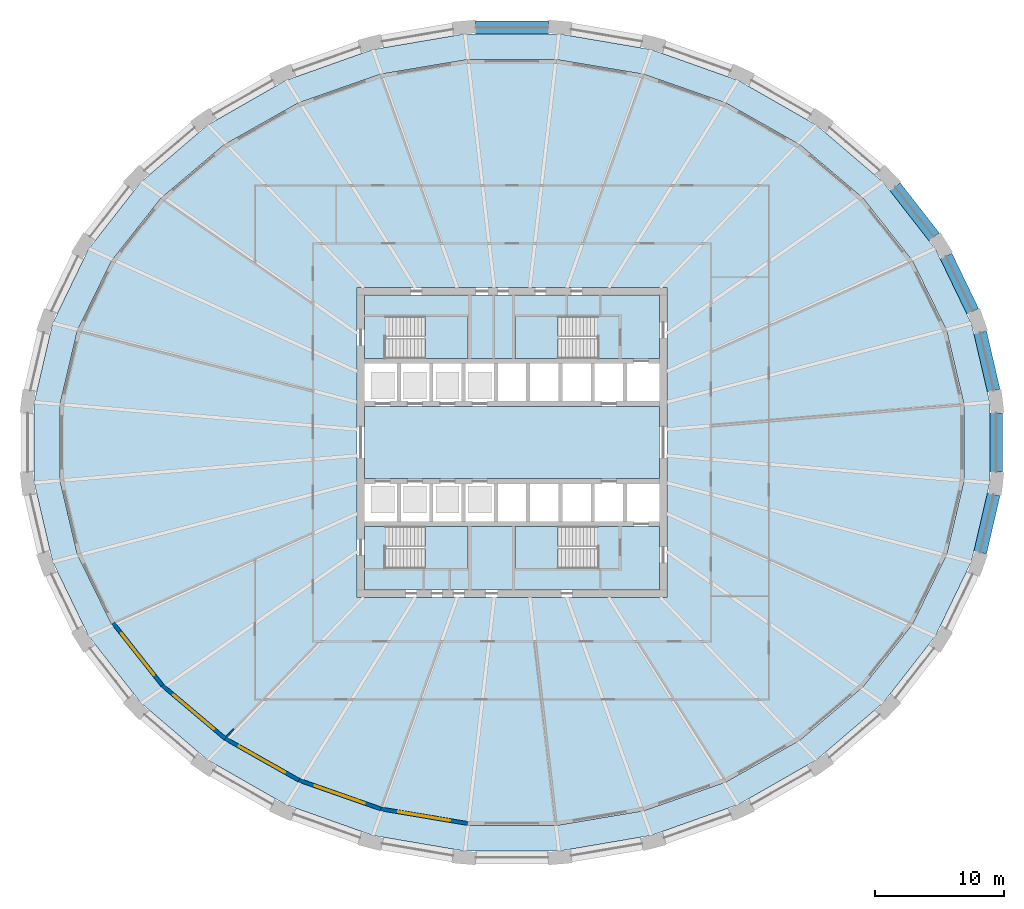
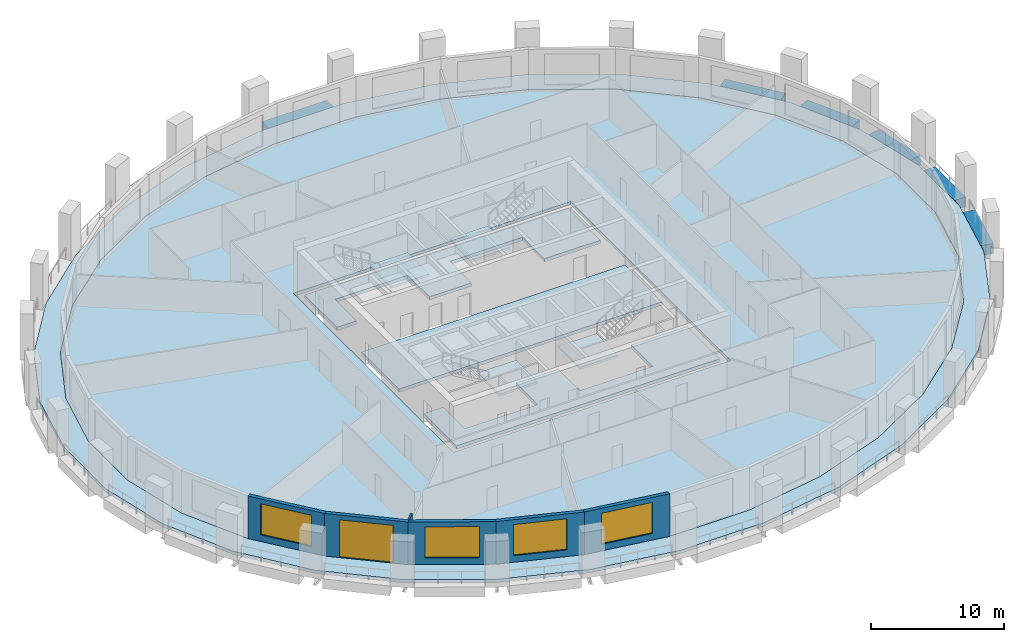
# One storey, part 2 of 11: 9 slabs, 6 beams, 6 walls, 4 windows, 1 door, 5 openings, 4 elements without a shape of their own.
"""IFC4 building model written with IfcOpenShell, lengths in metres."""

from ifc_helpers import new_model, si_unit, direction, frame, frame_2d, origin, origin_2d, place, context, subcontext, project, spatial, polyline, rectangle, outline, extrude, material, layer, layer_set, material_profile, profile_set, type_object, element, fill, aggregate, save


model = new_model("IFC4")

# Units and contexts
model_context = context("Model", 3, precision=1e-05, world=origin(), true_north=direction((0.0, 1.0)))
body_context = subcontext(model_context, "Body", "Model", "MODEL_VIEW")
ifc_project = project(units=[si_unit("LENGTHUNIT", "METRE"), si_unit("AREAUNIT", "SQUARE_METRE"), si_unit("VOLUMEUNIT", "CUBIC_METRE"), si_unit("PLANEANGLEUNIT", "RADIAN"), si_unit("MASSUNIT", "GRAM", prefix="KILO")], contexts=[model_context])

# Site, building, storey
site_placement = place(None, origin())
site = spatial("IfcSite", under=ifc_project, at=site_placement, CompositionType="ELEMENT")
building_placement = place(site_placement, origin())
building = spatial("IfcBuilding", under=site, at=building_placement, Name="Halqa Exchange Tower", CompositionType="ELEMENT")
storey_placement = place(building_placement, frame((0.0, 0.0, 40.300048828125)))
storey = spatial("IfcBuildingStorey", under=building, at=storey_placement, Name="L08", CompositionType="ELEMENT", Elevation=40.300048828125)

# Beams
ifc_material_1 = material(Name="Concrete C60/75", Category="concrete")
ifc_material_profile = material_profile(ifc_material_1, rectangle(XDim=1.0, YDim=0.89990234375, at=origin_2d()), Name="1000 x 900")
ifc_profile_set = profile_set([ifc_material_profile], Name="Concrete C60/75")
beam_type = type_object("IfcBeamType", Name="RC spandrel beam 1000 x 900 C60/75", PredefinedType="SPANDREL", material=ifc_profile_set)
beam_1_placement = place(storey_placement, frame((37.278076171875, 4.01953125, -0.449951171875), z_axis=(-0.226057098176, 0.974114053058, 0.0), x_axis=(-0.974114053058, -0.226057098176, 0.0)))
element("IfcBeam", 1, at=beam_1_placement, inside=storey, type_object=beam_type, Name="Spandrel 1", PredefinedType="SPANDREL", context=body_context, shape_type="SweptSolid", body=[
    extrude(rectangle(XDim=1.0, YDim=0.89990234375, at=origin_2d()), origin(), (0.0, 0.0, 1.0), 4.61474609375),
])
beam_2_placement = place(storey_placement, frame((35.65478515625, 10.159423828125, -0.449951171875), z_axis=(-0.435115053314, 0.900374861033, 0.0), x_axis=(-0.900374861033, -0.435115053314, 0.0)))
element("IfcBeam", 2, at=beam_2_placement, inside=storey, type_object=beam_type, Name="Spandrel 2", PredefinedType="SPANDREL", context=body_context, shape_type="SweptSolid", body=[
    extrude(rectangle(XDim=1.0, YDim=0.89990234375, at=origin_2d()), origin(), (0.0, 0.0, 1.0), 4.73779296875),
])
beam_3_placement = place(storey_placement, frame((32.672119140625, 15.9072265625, -0.449951171875), z_axis=(-0.614778716326, 0.788699644955, 0.0), x_axis=(-0.788699644955, -0.614778716326, 0.0)))
element("IfcBeam", 3, at=beam_3_placement, inside=storey, type_object=beam_type, Name="Spandrel 3", PredefinedType="SPANDREL", context=body_context, shape_type="SweptSolid", body=[
    extrude(rectangle(XDim=1.0, YDim=0.89990234375, at=origin_2d()), origin(), (0.0, 0.0, 1.0), 4.918701171875),
])
beam_4_placement = place(storey_placement, frame((2.816650390625, 32.122802734375, -0.449951171875), z_axis=(-1.0, 0.0, 0.0), x_axis=(0.0, -1.0, 0.0)))
element("IfcBeam", 4, at=beam_4_placement, inside=storey, type_object=beam_type, Name="Spandrel 8", PredefinedType="SPANDREL", context=body_context, shape_type="SweptSolid", body=[
    extrude(rectangle(XDim=1.0, YDim=0.89990234375, at=origin_2d()), origin(), (0.0, 0.0, 1.0), 5.63330078125),
])
beam_5_placement = place(storey_placement, frame((36.23486328125, -8.514892578125, -0.449951171875), z_axis=(0.226057098176, 0.974114053058, 0.0), x_axis=(-0.974114053058, 0.226057098176, 0.0)))
element("IfcBeam", 5, at=beam_5_placement, inside=storey, type_object=beam_type, Name="Spandrel 31", PredefinedType="SPANDREL", context=body_context, shape_type="SweptSolid", body=[
    extrude(rectangle(XDim=1.0, YDim=0.89990234375, at=origin_2d()), origin(), (0.0, 0.0, 1.0), 4.61474609375),
])
beam_6_placement = place(storey_placement, frame((37.4765625, -2.28515625, -0.449951171875), z_axis=(0.0, 1.0, 0.0), x_axis=(-1.0, 0.0, 0.0)))
element("IfcBeam", 6, at=beam_6_placement, inside=storey, type_object=beam_type, Name="Spandrel 32", PredefinedType="SPANDREL", context=body_context, shape_type="SweptSolid", body=[
    extrude(rectangle(XDim=1.0, YDim=0.89990234375, at=origin_2d()), origin(), (0.0, 0.0, 1.0), 4.5703125),
])

# Slabs
ifc_layer_1 = layer(ifc_material_1, 0.300048828125)
ifc_layer_set_1 = layer_set([ifc_layer_1], Name="Concrete C60/75")
slab_type_1 = type_object("IfcSlabType", Name="Core floor slab 300", PredefinedType="FLOOR", material=ifc_layer_set_1)
slab_1_placement = place(storey_placement, frame((0.0, 0.0, -0.300048828125)))
element("IfcSlab", 7, at=slab_1_placement, inside=storey, type_object=slab_type_1, Name="Core floor slab", PredefinedType="FLOOR", context=body_context, shape_type="SweptSolid", body=[
    extrude(outline(polyline([(-11.39990234375, 2.800048828125), (11.39990234375, 2.800048828125), (11.39990234375, -2.800048828125), (-11.39990234375, -2.800048828125), (-11.39990234375, 2.800048828125)])), origin(), (0.0, 0.0, 1.0), 0.300048828125),
])
slab_2_placement = place(storey_placement, frame((0.0, 0.0, -0.300048828125)))
element("IfcSlab", 8, at=slab_2_placement, inside=storey, type_object=slab_type_1, Name="Core floor slab", PredefinedType="FLOOR", context=body_context, shape_type="SweptSolid", body=[
    extrude(outline(polyline([(-11.39990234375, 11.39990234375), (11.39990234375, 11.39990234375), (11.39990234375, 6.5), (6.550048828125, 6.5), (6.550048828125, 9.75), (0.25, 9.75), (0.25, 6.5), (-3.39990234375, 6.5), (-3.39990234375, 9.75), (-9.699951171875, 9.75), (-9.699951171875, 6.5), (-11.39990234375, 6.5), (-11.39990234375, 11.39990234375)])), origin(), (0.0, 0.0, 1.0), 0.300048828125),
])
slab_3_placement = place(storey_placement, frame((0.0, 0.0, -0.300048828125)))
element("IfcSlab", 9, at=slab_3_placement, inside=storey, type_object=slab_type_1, Name="Core floor slab", PredefinedType="FLOOR", context=body_context, shape_type="SweptSolid", body=[
    extrude(outline(polyline([(-9.699951171875, -9.75), (-3.39990234375, -9.75), (-3.39990234375, -6.5), (0.25, -6.5), (0.25, -9.75), (6.550048828125, -9.75), (6.550048828125, -6.5), (11.39990234375, -6.5), (11.39990234375, -11.39990234375), (-11.39990234375, -11.39990234375), (-11.39990234375, -6.5), (-9.699951171875, -6.5), (-9.699951171875, -9.75)])), origin(), (0.0, 0.0, 1.0), 0.300048828125),
])
ifc_material_2 = material(Name="Concrete C40/50", Category="concrete")
ifc_layer_2 = layer(ifc_material_2, 0.300048828125)
ifc_layer_set_2 = layer_set([ifc_layer_2], Name="Concrete C40/50")
slab_type_2 = type_object("IfcSlabType", Name="RC floor slab 300", PredefinedType="FLOOR", material=ifc_layer_set_2)
slab_4_placement = place(storey_placement, frame((0.0, 0.0, -0.300048828125)))
element("IfcSlab", 10, at=slab_4_placement, inside=storey, type_object=slab_type_2, Name="Floor slab", PredefinedType="FLOOR", context=body_context, shape_type="SweptSolid", body=[
    extrude(outline(polyline([(34.989990234375, 2.92431640625), (33.64111328125, 8.65869140625), (30.997314453125, 14.056640625), (27.162109375, 18.910400390625), (22.285888671875, 23.0341796875), (16.556396484375, 26.271728515625), (10.193603515625, 28.50048828125), (3.44189453125, 29.63623046875), (-3.44189453125, 29.63623046875), (-10.193603515625, 28.50048828125), (-16.556396484375, 26.271728515625), (-22.285888671875, 23.0341796875), (-27.162109375, 18.910400390625), (-30.997314453125, 14.056640625), (-33.64111328125, 8.65869140625), (-34.989990234375, 2.92431640625), (-34.989990234375, -2.92431640625), (-33.64111328125, -8.65869140625), (-30.997314453125, -14.056640625), (-27.162109375, -18.910400390625), (-22.285888671875, -23.0341796875), (-16.556396484375, -26.271728515625), (-10.193603515625, -28.50048828125), (-3.44189453125, -29.63623046875), (3.44189453125, -29.63623046875), (10.193603515625, -28.50048828125), (16.556396484375, -26.271728515625), (22.285888671875, -23.0341796875), (27.162109375, -18.910400390625), (30.997314453125, -14.056640625), (33.64111328125, -8.65869140625), (34.989990234375, -2.92431640625), (34.989990234375, 2.92431640625)]), holes=[polyline([(-12.0, -12.0), (12.0, -12.0), (12.0, 12.0), (-12.0, 12.0), (-12.0, -12.0)])]), origin(), (0.0, 0.0, 1.0), 0.300048828125),
])
ifc_layer_3 = layer(ifc_material_2, 0.300048828125)
ifc_layer_set_3 = layer_set([ifc_layer_3], Name="Concrete C40/50")
slab_type_3 = type_object("IfcSlabType", Name="RC loggia slab 300", PredefinedType="FLOOR", material=ifc_layer_set_3)
slab_5_placement = place(storey_placement, frame((0.0, 0.0, -0.300048828125)))
element("IfcSlab", 11, at=slab_5_placement, inside=storey, type_object=slab_type_3, Name="Loggia slab", PredefinedType="FLOOR", context=body_context, shape_type="SweptSolid", body=[
    extrude(outline(polyline([(36.9765625, 3.1064453125), (36.9765625, -3.1064453125), (35.56201171875, -9.20263671875), (32.7841796875, -14.950439453125), (28.74658203125, -20.130126953125), (23.600341796875, -24.541015625), (17.542236328125, -28.010498046875), (10.804931640625, -30.402587890625), (3.648681640625, -31.622802734375), (-3.648681640625, -31.622802734375), (-10.804931640625, -30.402587890625), (-17.542236328125, -28.010498046875), (-23.600341796875, -24.541015625), (-28.74658203125, -20.130126953125), (-32.7841796875, -14.950439453125), (-35.56201171875, -9.20263671875), (-36.9765625, -3.1064453125), (-36.9765625, 3.1064453125), (-35.56201171875, 9.20263671875), (-32.7841796875, 14.950439453125), (-28.74658203125, 20.130126953125), (-23.600341796875, 24.541015625), (-17.542236328125, 28.010498046875), (-10.804931640625, 30.402587890625), (-3.648681640625, 31.622802734375), (3.648681640625, 31.622802734375), (10.804931640625, 30.402587890625), (17.542236328125, 28.010498046875), (23.600341796875, 24.541015625), (28.74658203125, 20.130126953125), (32.7841796875, 14.950439453125), (35.56201171875, 9.20263671875), (36.9765625, 3.1064453125)]), holes=[polyline([(34.989990234375, 2.92431640625), (33.64111328125, 8.65869140625), (30.997314453125, 14.056640625), (27.162109375, 18.910400390625), (22.285888671875, 23.0341796875), (16.556396484375, 26.271728515625), (10.193603515625, 28.50048828125), (3.44189453125, 29.63623046875), (-3.44189453125, 29.63623046875), (-10.193603515625, 28.50048828125), (-16.556396484375, 26.271728515625), (-22.285888671875, 23.0341796875), (-27.162109375, 18.910400390625), (-30.997314453125, 14.056640625), (-33.64111328125, 8.65869140625), (-34.989990234375, 2.92431640625), (-34.989990234375, -2.92431640625), (-33.64111328125, -8.65869140625), (-30.997314453125, -14.056640625), (-27.162109375, -18.910400390625), (-22.285888671875, -23.0341796875), (-16.556396484375, -26.271728515625), (-10.193603515625, -28.50048828125), (-3.44189453125, -29.63623046875), (3.44189453125, -29.63623046875), (10.193603515625, -28.50048828125), (16.556396484375, -26.271728515625), (22.285888671875, -23.0341796875), (27.162109375, -18.910400390625), (30.997314453125, -14.056640625), (33.64111328125, -8.65869140625), (34.989990234375, -2.92431640625), (34.989990234375, 2.92431640625)])]), origin(), (0.0, 0.0, 1.0), 0.300048828125),
])

# Stair, slab
ifc_material_3 = material(Name="Concrete C30/37", Category="concrete")
stair_type = type_object("IfcStairType", Name="Exit stair 1500 wide", PredefinedType="HALF_TURN_STAIR", material=ifc_material_3)
stair_1_placement = place(storey_placement, origin())
stair_1 = element("IfcStair", 12, at=stair_1_placement, inside=storey, type_object=stair_type, Name="Exit stair ST1", PredefinedType="HALF_TURN_STAIR")
ifc_layer_4 = layer(ifc_material_3, 0.199951171875)
ifc_layer_set_4 = layer_set([ifc_layer_4], Name="Concrete C30/37")
slab_type_4 = type_object("IfcSlabType", Name="Stair landing 200 slab", PredefinedType="LANDING", material=ifc_layer_set_4)
slab_6_placement = place(storey_placement, frame((0.0, 0.0, 1.89990234375)))
slab_6 = element("IfcSlab", 13, at=slab_6_placement, type_object=slab_type_4, Name="ST1 landing 1", PredefinedType="LANDING", context=body_context, shape_type="SweptSolid", body=[
    extrude(outline(polyline([(-6.719970703125, 6.5), (-3.39990234375, 6.5), (-3.39990234375, 9.75), (-6.719970703125, 9.75), (-6.719970703125, 6.5)])), origin(), (0.0, 0.0, 1.0), 0.199951171875),
])
aggregate(stair_1, [slab_6])

stair_2_placement = place(storey_placement, origin())
stair_2 = element("IfcStair", 14, at=stair_2_placement, inside=storey, type_object=stair_type, Name="Exit stair ST2", PredefinedType="HALF_TURN_STAIR")
slab_7_placement = place(storey_placement, frame((0.0, 0.0, 1.89990234375)))
slab_7 = element("IfcSlab", 15, at=slab_7_placement, type_object=slab_type_4, Name="ST2 landing 1", PredefinedType="LANDING", context=body_context, shape_type="SweptSolid", body=[
    extrude(outline(polyline([(0.25, 6.5), (3.570068359375, 6.5), (3.570068359375, 9.75), (0.25, 9.75), (0.25, 6.5)])), origin(), (0.0, 0.0, 1.0), 0.199951171875),
])
aggregate(stair_2, [slab_7])

stair_3_placement = place(storey_placement, origin())
stair_3 = element("IfcStair", 16, at=stair_3_placement, inside=storey, type_object=stair_type, Name="Exit stair ST3", PredefinedType="HALF_TURN_STAIR")
slab_8_placement = place(storey_placement, frame((0.0, 0.0, 1.89990234375)))
slab_8 = element("IfcSlab", 17, at=slab_8_placement, type_object=slab_type_4, Name="ST3 landing 1", PredefinedType="LANDING", context=body_context, shape_type="SweptSolid", body=[
    extrude(outline(polyline([(-6.719970703125, -9.75), (-3.39990234375, -9.75), (-3.39990234375, -6.5), (-6.719970703125, -6.5), (-6.719970703125, -9.75)])), origin(), (0.0, 0.0, 1.0), 0.199951171875),
])
aggregate(stair_3, [slab_8])

stair_4_placement = place(storey_placement, origin())
stair_4 = element("IfcStair", 18, at=stair_4_placement, inside=storey, type_object=stair_type, Name="Exit stair ST4", PredefinedType="HALF_TURN_STAIR")
slab_9_placement = place(storey_placement, frame((0.0, 0.0, 1.89990234375)))
slab_9 = element("IfcSlab", 19, at=slab_9_placement, type_object=slab_type_4, Name="ST4 landing 1", PredefinedType="LANDING", context=body_context, shape_type="SweptSolid", body=[
    extrude(outline(polyline([(0.25, -9.75), (3.570068359375, -9.75), (3.570068359375, -6.5), (0.25, -6.5), (0.25, -9.75)])), origin(), (0.0, 0.0, 1.0), 0.199951171875),
])
aggregate(stair_4, [slab_9])

# Wall
ifc_material_4 = material(Name="Fire-rated gypsum board")
ifc_layer_5 = layer(ifc_material_4, 0.14990234375)
ifc_layer_set_5 = layer_set([ifc_layer_5], Name="Fire-rated gypsum board")
wall_type_1 = type_object("IfcWallType", Name="Fire partition EI 60 150", PredefinedType="PARTITIONING", material=ifc_layer_set_5)
wall_1_placement = place(storey_placement, frame((-22.11669921875, -22.790771484375, 0.0), z_axis=(0.0, 0.0, 1.0), x_axis=(0.696550314682, 0.71750795056, 0.0)))
element("IfcWall", 20, at=wall_1_placement, inside=storey, type_object=wall_type_1, Name="L08-PWL-003", PredefinedType="PARTITIONING", context=body_context, shape_type="SweptSolid", body=[
    extrude(outline(polyline([(0.0, 0.074951171875), (0.0, 0.0712890625), (0.0048828125, 0.00048828125), (0.024658203125, -0.074951171875), (0.8388671875, -0.074951171875), (0.8388671875, 0.074951171875), (0.0, 0.074951171875)])), origin(), (0.0, 0.0, 1.0), 3.89990234375),
])

# Wall, opening, window
ifc_material_5 = material(Name="Limestone cladding", Category="masonry")
ifc_layer_6 = layer(ifc_material_5, 0.0400390625)
ifc_material_6 = material(Name="Ventilated cavity")
ifc_layer_7 = layer(ifc_material_6, 0.030029296875, ventilated=True)
ifc_material_7 = material(Name="Mineral wool insulation")
ifc_layer_8 = layer(ifc_material_7, 0.10009765625)
ifc_layer_9 = layer(ifc_material_3, 0.10009765625)
ifc_material_8 = material(Name="Internal plaster")
ifc_layer_10 = layer(ifc_material_8, 0.030029296875)
ifc_layer_set_6 = layer_set([ifc_layer_6, ifc_layer_7, ifc_layer_8, ifc_layer_9, ifc_layer_10], Name="Stone-faced insulated wall 300")
wall_type_2 = type_object("IfcWallType", Name="Stone-faced insulated wall 300", PredefinedType="STANDARD", material=ifc_layer_set_6)
wall_2_placement = place(storey_placement, frame((-30.869384765625, -13.976318359375, 0.0), z_axis=(0.0, 0.0, 1.0), x_axis=(0.61992334328, -0.784662378642, 0.0)))
wall_2 = element("IfcWall", 21, at=wall_2_placement, inside=storey, type_object=wall_type_2, Name="Glass-line wall 19", PredefinedType="STANDARD", context=body_context, shape_type="SweptSolid", body=[
    extrude(outline(polyline([(-0.01611328125, -0.14990234375), (6.169921875, -0.14990234375), (6.1396484375, 0.14990234375), (0.01611328125, 0.14990234375), (-0.01611328125, -0.14990234375)])), origin(), (0.0, 0.0, 1.0), 3.89990234375),
])
opening_1_placement = place(wall_2_placement, frame((1.02734375, 0.0, 0.60009765625)))
opening_1 = element("IfcOpeningElement", 22, at=opening_1_placement, cuts=wall_2, Name="Opening W-F1-19", PredefinedType="OPENING", context=body_context, shape_type="SweptSolid", body=[
    extrude(rectangle(XDim=4.10009765625, YDim=2.85009765625, at=frame_2d((2.050048828125, 1.425048828125))), frame((0.0, 0.162109375, 0.0), z_axis=(0.0, -1.0, 0.0), x_axis=(1.0, 0.0, 0.0)), (0.0, 0.0, 1.0), 0.323974609375),
])
ifc_material_9 = material(Name="Clear low-emissivity glass in aluminium frame", Category="aluminium")
window_type = type_object("IfcWindowType", Name="Fixed clear glazed window 4100 x 2850", PartitioningType="TRIPLE_PANEL_VERTICAL", PredefinedType="WINDOW", material=ifc_material_9)
window_1_placement = place(opening_1_placement, origin())
window_1 = element("IfcWindow", 23, at=window_1_placement, inside=storey, type_object=window_type, Name="Window 1", OverallHeight=2.85009765625, OverallWidth=4.10009765625, PartitioningType="TRIPLE_PANEL_VERTICAL", PredefinedType="WINDOW", context=body_context, shape_type="SweptSolid", body=[
    extrude(rectangle(XDim=4.10009765625, YDim=2.85009765625, at=frame_2d((2.050048828125, 1.425048828125))), frame((0.0, 0.030029296875, 0.0), z_axis=(0.0, -1.0, 0.0), x_axis=(1.0, 0.0, 0.0)), (0.0, 0.0, 1.0), 0.06005859375),
])
fill(opening_1, window_1)

# Wall, opening, door
wall_3_placement = place(storey_placement, frame((-27.053955078125, -18.8056640625, 0.0), z_axis=(0.0, 0.0, 1.0), x_axis=(0.763577077796, -0.645716691951, 0.0)))
wall_3 = element("IfcWall", 24, at=wall_3_placement, inside=storey, type_object=wall_type_2, Name="Glass-line wall 20", PredefinedType="STANDARD", context=body_context, shape_type="SweptSolid", body=[
    extrude(outline(polyline([(-0.01513671875, -0.14990234375), (6.371337890625, -0.14990234375), (6.343017578125, 0.14990234375), (0.01513671875, 0.14990234375), (-0.01513671875, -0.14990234375)])), origin(), (0.0, 0.0, 1.0), 3.89990234375),
])
opening_2_placement = place(wall_3_placement, frame((1.128662109375, 0.0, 0.0)))
opening_2 = element("IfcOpeningElement", 25, at=opening_2_placement, cuts=wall_3, Name="Opening LG-F1-05", PredefinedType="OPENING", context=body_context, shape_type="SweptSolid", body=[
    extrude(rectangle(XDim=4.10009765625, YDim=3.449951171875, at=frame_2d((2.050048828125, 1.72509765625))), frame((0.0, 0.162109375, 0.0), z_axis=(0.0, -1.0, 0.0), x_axis=(1.0, 0.0, 0.0)), (0.0, 0.0, 1.0), 0.323974609375),
])
door_type = type_object("IfcDoorType", Name="Glazed sliding loggia door 4100 x 3450", OperationType="DOUBLE_DOOR_SLIDING", PredefinedType="DOOR", material=ifc_material_9)
door_placement = place(opening_2_placement, origin())
door = element("IfcDoor", 26, at=door_placement, inside=storey, type_object=door_type, Name="Loggia door 5", OperationType="DOUBLE_DOOR_SLIDING", OverallHeight=3.449951171875, OverallWidth=4.10009765625, PredefinedType="DOOR", context=body_context, shape_type="SweptSolid", body=[
    extrude(rectangle(XDim=4.10009765625, YDim=3.449951171875, at=frame_2d((2.050048828125, 1.72509765625))), frame((0.0, 0.02490234375, 0.0), z_axis=(0.0, -1.0, 0.0), x_axis=(1.0, 0.0, 0.0)), (0.0, 0.0, 1.0), 0.050048828125),
])
fill(opening_2, door)

# Wall, opening, window
wall_4_placement = place(storey_placement, frame((-22.19970703125, -22.91064453125, 0.0), z_axis=(0.0, 0.0, 1.0), x_axis=(0.87061279013, -0.491968870623, 0.0)))
wall_4 = element("IfcWall", 27, at=wall_4_placement, inside=storey, type_object=wall_type_2, Name="Glass-line wall 21", PredefinedType="STANDARD", context=body_context, shape_type="SweptSolid", body=[
    extrude(outline(polyline([(-0.01416015625, -0.14990234375), (6.56689453125, -0.14990234375), (6.5400390625, 0.14990234375), (0.01416015625, 0.14990234375), (-0.01416015625, -0.14990234375)])), origin(), (0.0, 0.0, 1.0), 3.89990234375),
])
opening_3_placement = place(wall_4_placement, frame((1.226806640625, 0.0, 0.60009765625)))
opening_3 = element("IfcOpeningElement", 28, at=opening_3_placement, cuts=wall_4, Name="Opening W-F1-21", PredefinedType="OPENING", context=body_context, shape_type="SweptSolid", body=[
    extrude(rectangle(XDim=4.10009765625, YDim=2.85009765625, at=frame_2d((2.050048828125, 1.425048828125))), frame((0.0, 0.162109375, 0.0), z_axis=(0.0, -1.0, 0.0), x_axis=(1.0, 0.0, 0.0)), (0.0, 0.0, 1.0), 0.323974609375),
])
window_2_placement = place(opening_3_placement, origin())
window_2 = element("IfcWindow", 29, at=window_2_placement, inside=storey, type_object=window_type, Name="Window 1", OverallHeight=2.85009765625, OverallWidth=4.10009765625, PartitioningType="TRIPLE_PANEL_VERTICAL", PredefinedType="WINDOW", context=body_context, shape_type="SweptSolid", body=[
    extrude(rectangle(XDim=4.10009765625, YDim=2.85009765625, at=frame_2d((2.050048828125, 1.425048828125))), frame((0.0, 0.030029296875, 0.0), z_axis=(0.0, -1.0, 0.0), x_axis=(1.0, 0.0, 0.0)), (0.0, 0.0, 1.0), 0.06005859375),
])
fill(opening_3, window_2)

wall_5_placement = place(storey_placement, frame((-16.494140625, -26.134765625, 0.0), z_axis=(0.0, 0.0, 1.0), x_axis=(0.943778979427, -0.330577128657, 0.0)))
wall_5 = element("IfcWall", 30, at=wall_5_placement, inside=storey, type_object=wall_type_2, Name="Glass-line wall 22", PredefinedType="STANDARD", context=body_context, shape_type="SweptSolid", body=[
    extrude(outline(polyline([(-0.013427734375, -0.14990234375), (6.72802734375, -0.14990234375), (6.70263671875, 0.14990234375), (0.013427734375, 0.14990234375), (-0.013427734375, -0.14990234375)])), origin(), (0.0, 0.0, 1.0), 3.89990234375),
])
opening_4_placement = place(wall_5_placement, frame((1.3076171875, 0.0, 0.60009765625)))
opening_4 = element("IfcOpeningElement", 31, at=opening_4_placement, cuts=wall_5, Name="Opening W-F1-22", PredefinedType="OPENING", context=body_context, shape_type="SweptSolid", body=[
    extrude(rectangle(XDim=4.10009765625, YDim=2.85009765625, at=frame_2d((2.050048828125, 1.425048828125))), frame((0.0, 0.162109375, 0.0), z_axis=(0.0, -1.0, 0.0), x_axis=(1.0, 0.0, 0.0)), (0.0, 0.0, 1.0), 0.323974609375),
])
window_3_placement = place(opening_4_placement, origin())
window_3 = element("IfcWindow", 32, at=window_3_placement, inside=storey, type_object=window_type, Name="Window 1", OverallHeight=2.85009765625, OverallWidth=4.10009765625, PartitioningType="TRIPLE_PANEL_VERTICAL", PredefinedType="WINDOW", context=body_context, shape_type="SweptSolid", body=[
    extrude(rectangle(XDim=4.10009765625, YDim=2.85009765625, at=frame_2d((2.050048828125, 1.425048828125))), frame((0.0, 0.030029296875, 0.0), z_axis=(0.0, -1.0, 0.0), x_axis=(1.0, 0.0, 0.0)), (0.0, 0.0, 1.0), 0.06005859375),
])
fill(opening_4, window_3)

wall_6_placement = place(storey_placement, frame((-10.15625, -28.354736328125, 0.0), z_axis=(0.0, 0.0, 1.0), x_axis=(0.986145179906, -0.165884550659, 0.0)))
wall_6 = element("IfcWall", 33, at=wall_6_placement, inside=storey, type_object=wall_type_2, Name="Glass-line wall 23", PredefinedType="STANDARD", context=body_context, shape_type="SweptSolid", body=[
    extrude(outline(polyline([(-0.0126953125, -0.14990234375), (6.833984375, -0.14990234375), (6.80908203125, 0.14990234375), (0.0126953125, 0.14990234375), (-0.0126953125, -0.14990234375)])), origin(), (0.0, 0.0, 1.0), 3.89990234375),
])
opening_5_placement = place(wall_6_placement, frame((1.36083984375, 0.0, 0.60009765625)))
opening_5 = element("IfcOpeningElement", 34, at=opening_5_placement, cuts=wall_6, Name="Opening W-F1-23", PredefinedType="OPENING", context=body_context, shape_type="SweptSolid", body=[
    extrude(rectangle(XDim=4.10009765625, YDim=2.85009765625, at=frame_2d((2.050048828125, 1.425048828125))), frame((0.0, 0.162109375, 0.0), z_axis=(0.0, -1.0, 0.0), x_axis=(1.0, 0.0, 0.0)), (0.0, 0.0, 1.0), 0.323974609375),
])
window_4_placement = place(opening_5_placement, origin())
window_4 = element("IfcWindow", 35, at=window_4_placement, inside=storey, type_object=window_type, Name="Window 1", OverallHeight=2.85009765625, OverallWidth=4.10009765625, PartitioningType="TRIPLE_PANEL_VERTICAL", PredefinedType="WINDOW", context=body_context, shape_type="SweptSolid", body=[
    extrude(rectangle(XDim=4.10009765625, YDim=2.85009765625, at=frame_2d((2.050048828125, 1.425048828125))), frame((0.0, 0.030029296875, 0.0), z_axis=(0.0, -1.0, 0.0), x_axis=(1.0, 0.0, 0.0)), (0.0, 0.0, 1.0), 0.06005859375),
])
fill(opening_5, window_4)

save(model, "model.ifc")
